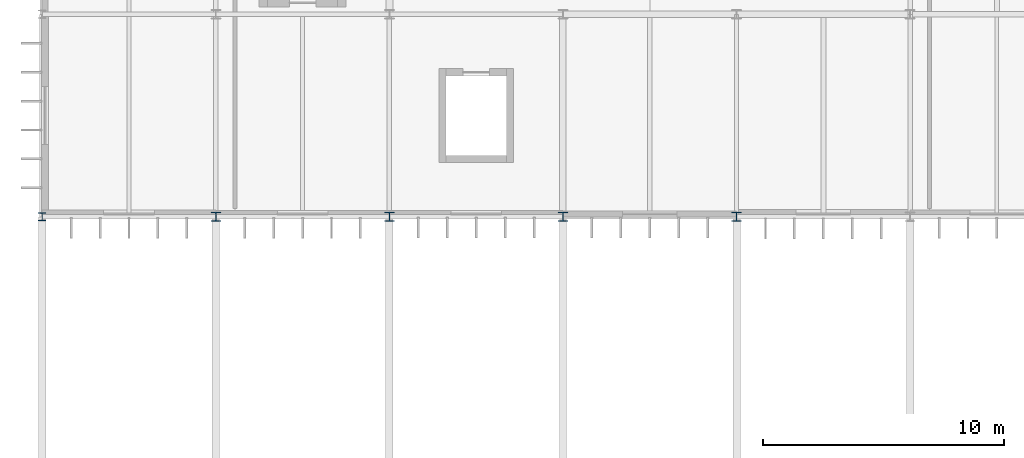
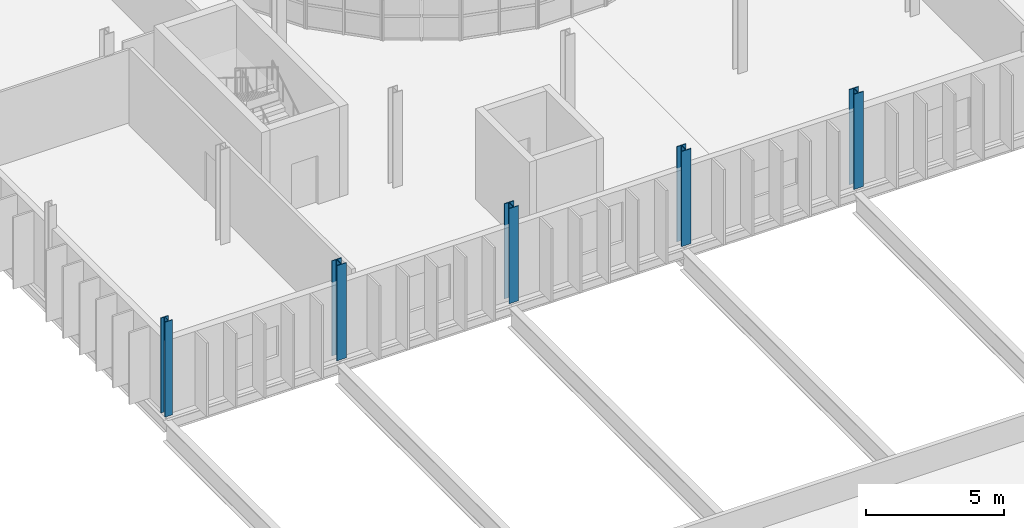
# One storey, part 5 of 119: 5 columns.
"""IFC4 building model written with IfcOpenShell, lengths in metres."""

from ifc_helpers import new_model, si_unit, direction, frame, origin, origin_2d, place, context, subcontext, project, spatial, i_section, extrude, material, material_profile, profile_set, type_object, element, save


model = new_model("IFC4")

# Units and contexts
model_context = context("Model", 3, precision=1e-05, world=origin(), true_north=direction((0.0, 1.0)))
body_context = subcontext(model_context, "Body", "Model", "MODEL_VIEW")
ifc_project = project(units=[si_unit("LENGTHUNIT", "METRE"), si_unit("AREAUNIT", "SQUARE_METRE"), si_unit("VOLUMEUNIT", "CUBIC_METRE"), si_unit("PLANEANGLEUNIT", "RADIAN"), si_unit("MASSUNIT", "GRAM", prefix="KILO")], contexts=[model_context])

# Site, building, storey
site_placement = place(None, origin())
site = spatial("IfcSite", under=ifc_project, at=site_placement, CompositionType="ELEMENT")
building_placement = place(site_placement, origin())
building = spatial("IfcBuilding", under=site, at=building_placement, Name="Qelthora Terrace Specialist Clinic", CompositionType="ELEMENT")
storey_placement = place(building_placement, frame((0.0, 0.0, 4.800048828125)))
storey = spatial("IfcBuildingStorey", under=building, at=storey_placement, Name="L01", CompositionType="ELEMENT", Elevation=4.800048828125)

# Columns
ifc_material = material(Name="Steel S355", Category="steel")
ifc_material_profile_1 = material_profile(ifc_material, i_section(OverallWidth=0.30908203125, OverallDepth=0.322998046875, WebThickness=0.013916015625, FlangeThickness=0.02294921875, FilletRadius=0.01611328125, at=origin_2d()), Name="W310X143")
ifc_profile_set_1 = profile_set([ifc_material_profile_1], Name="Steel S355")
column_type_1 = type_object("IfcColumnType", Name="COL-W310X143", PredefinedType="COLUMN", material=ifc_profile_set_1)
column_1_placement = place(storey_placement, frame((0.0, 58.800048828125, 0.0), z_axis=(0.0, 0.0, 1.0), x_axis=(1.0, 0.0, 0.0)))
element("IfcColumn", 1, at=column_1_placement, inside=storey, type_object=column_type_1, Name="Column L01-008", PredefinedType="COLUMN", context=body_context, shape_type="SweptSolid", body=[
    extrude(i_section(OverallWidth=0.30908203125, OverallDepth=0.322998046875, WebThickness=0.013916015625, FlangeThickness=0.02294921875, FilletRadius=0.01611328125, at=origin_2d()), origin(), (0.0, 0.0, 1.0), 4.199951171875),
])
ifc_material_profile_2 = material_profile(ifc_material, i_section(OverallWidth=0.39404296875, OverallDepth=0.375, WebThickness=0.017333984375, FlangeThickness=0.027587890625, FilletRadius=0.02001953125, at=origin_2d()), Name="W360X216")
ifc_profile_set_2 = profile_set([ifc_material_profile_2], Name="Steel S355")
column_type_2 = type_object("IfcColumnType", Name="COL-W360X216", PredefinedType="COLUMN", material=ifc_profile_set_2)
column_2_placement = place(storey_placement, frame((28.800048828125, 58.800048828125, 0.0), z_axis=(0.0, 0.0, 1.0), x_axis=(1.0, 0.0, 0.0)))
element("IfcColumn", 2, at=column_2_placement, inside=storey, type_object=column_type_2, Name="Column L01-061", PredefinedType="COLUMN", context=body_context, shape_type="SweptSolid", body=[
    extrude(i_section(OverallWidth=0.39404296875, OverallDepth=0.375, WebThickness=0.017333984375, FlangeThickness=0.027587890625, FilletRadius=0.02001953125, at=origin_2d()), origin(), (0.0, 0.0, 1.0), 4.199951171875),
])
ifc_material_profile_3 = material_profile(ifc_material, i_section(OverallWidth=0.39501953125, OverallDepth=0.3798828125, WebThickness=0.018798828125, FlangeThickness=0.0302734375, FilletRadius=0.02001953125, at=origin_2d()), Name="W360X237")
ifc_profile_set_3 = profile_set([ifc_material_profile_3], Name="Steel S355")
column_type_3 = type_object("IfcColumnType", Name="COL-W360X237", PredefinedType="COLUMN", material=ifc_profile_set_3)
for number, where, z_axis, x_axis, name in (
    (3, (7.199951171875, 58.800048828125, 0.0), (0.0, 0.0, 1.0), (1.0, 0.0, 0.0), "Column L01-022"),
    (4, (14.39990234375, 58.800048828125, 0.0), (0.0, 0.0, 1.0), (1.0, 0.0, 0.0), "Column L01-036"),
    (5, (21.60009765625, 58.800048828125, 0.0), (0.0, 0.0, 1.0), (1.0, 0.0, 0.0), "Column L01-050"),
):
    element("IfcColumn", number, at=place(storey_placement, frame(where, z_axis=z_axis, x_axis=x_axis)), inside=storey, type_object=column_type_3, Name=name, PredefinedType="COLUMN", context=body_context, shape_type="SweptSolid", body=[
        extrude(i_section(OverallWidth=0.39501953125, OverallDepth=0.3798828125, WebThickness=0.018798828125, FlangeThickness=0.0302734375, FilletRadius=0.02001953125, at=origin_2d()), origin(), (0.0, 0.0, 1.0), 4.199951171875),
    ])

save(model, "model.ifc")
